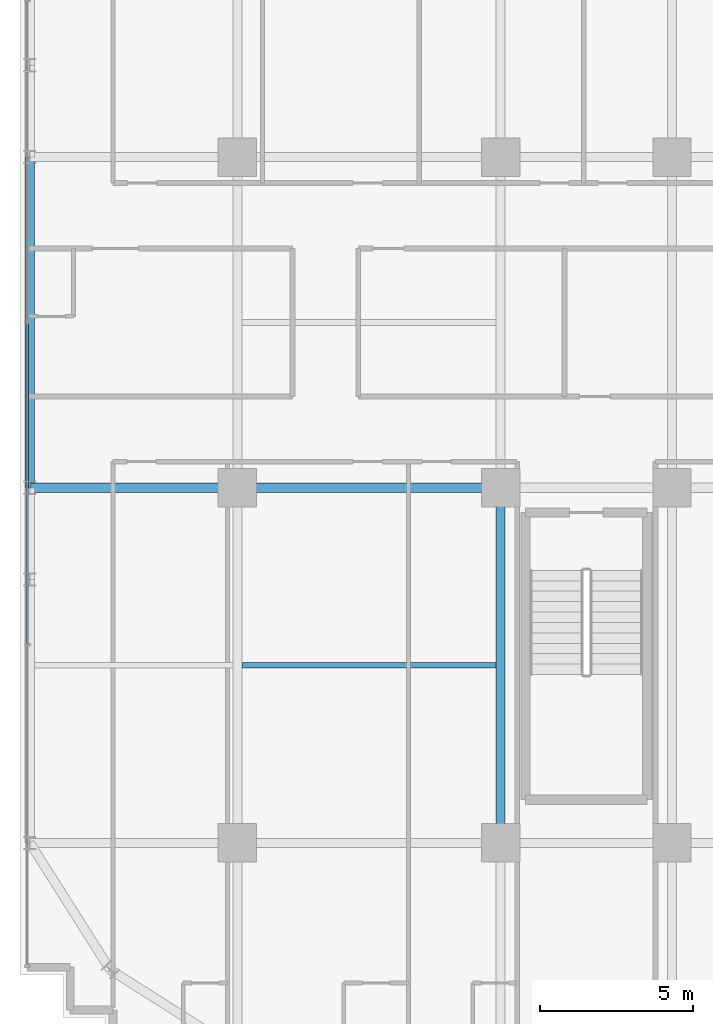
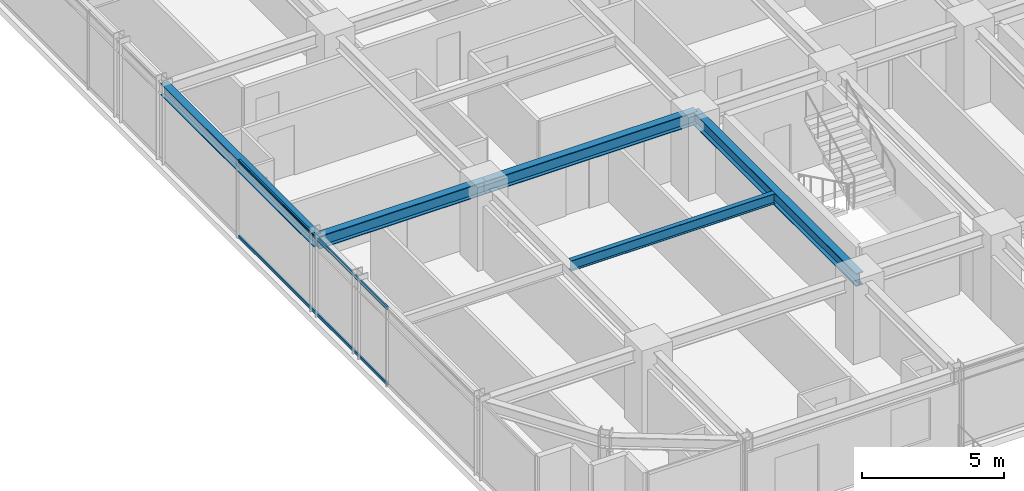
# One storey, part 8 of 32: 5 beams, 2 members, 1 element without a shape of its own.
"""IFC4 building model written with IfcOpenShell, lengths in metres."""

from ifc_helpers import new_model, si_unit, direction, frame, origin, origin_2d, place, context, subcontext, project, spatial, hollow_rectangle, i_section, extrude, source, transform, mapped, material, material_profile, profile_set, type_object, element, aggregate, save


model = new_model("IFC4")

# Units and contexts
model_context = context("Model", 3, precision=1e-05, world=origin(), true_north=direction((0.0, 1.0)))
body_context = subcontext(model_context, "Body", "Model", "MODEL_VIEW")
ifc_project = project(units=[si_unit("LENGTHUNIT", "METRE"), si_unit("AREAUNIT", "SQUARE_METRE"), si_unit("VOLUMEUNIT", "CUBIC_METRE"), si_unit("PLANEANGLEUNIT", "RADIAN"), si_unit("MASSUNIT", "GRAM", prefix="KILO")], contexts=[model_context])

# Site, building, storey
site_placement = place(None, origin())
site = spatial("IfcSite", under=ifc_project, at=site_placement, CompositionType="ELEMENT")
building_placement = place(site_placement, origin())
building = spatial("IfcBuilding", under=site, at=building_placement, Name="Nahalor Promenade Grand Hotel", CompositionType="ELEMENT")
storey_placement = place(building_placement, frame((0.0, 0.0, 102.89990234375)))
storey = spatial("IfcBuildingStorey", under=building, at=storey_placement, Name="L25", CompositionType="ELEMENT", Elevation=102.89990234375)

# Beams
ifc_material_1 = material(Name="Steel S355JR", Category="steel")
ifc_material_profile_1 = material_profile(ifc_material_1, i_section(OverallWidth=0.3, OverallDepth=0.5, WebThickness=0.0145, FlangeThickness=0.028, at=origin_2d()), Name="HEB 500")
ifc_profile_set_1 = profile_set([ifc_material_profile_1], Name="Steel S355JR")
beam_type_1 = type_object("IfcBeamType", Name="Beam-Spandrel-HEB500", PredefinedType="SPANDREL", material=ifc_profile_set_1)
shared_shape_1 = source(origin(), body_context, "Body", "SweptSolid", [
    extrude(i_section(OverallWidth=0.3, OverallDepth=0.5, WebThickness=0.0145, FlangeThickness=0.028, at=origin_2d()), origin(), (0.0, 0.0, 1.0), 10.7998046875),
])
beam_1_placement = place(storey_placement, frame((-23.780029296875, -5.39990234375, 3.130126953125), z_axis=(0.0, 1.0, 0.0), x_axis=(-1.0, 0.0, 0.0)))
element("IfcBeam", 1, at=beam_1_placement, inside=storey, type_object=beam_type_1, Name="BM-L25-SP-W-2", PredefinedType="SPANDREL", context=body_context, shape_type="MappedRepresentation", body=[
    mapped(shared_shape_1, transform((0.0, 0.0, 0.0), scale=1.0)),
])
ifc_material_profile_2 = material_profile(ifc_material_1, i_section(OverallWidth=0.3, OverallDepth=0.55, WebThickness=0.015, FlangeThickness=0.029, at=origin_2d()), Name="HEB 550")
ifc_profile_set_2 = profile_set([ifc_material_profile_2], Name="Steel S355JR")
beam_type_2 = type_object("IfcBeamType", Name="Beam-Girder-HEB550", PredefinedType="BEAM", material=ifc_profile_set_2)
shared_shape_2 = source(origin(), body_context, "Body", "SweptSolid", [
    extrude(i_section(OverallWidth=0.3, OverallDepth=0.55, WebThickness=0.015, FlangeThickness=0.029, at=origin_2d()), origin(), (0.0, 0.0, 1.0), 6.780029296875),
])
beam_2_placement = place(storey_placement, frame((-23.780029296875, -5.39990234375, 3.10498046875), z_axis=(1.0, 0.0, 0.0), x_axis=(0.0, 1.0, 0.0)))
element("IfcBeam", 2, at=beam_2_placement, inside=storey, type_object=beam_type_2, Name="BM-L25-GX-1-0", PredefinedType="BEAM", context=body_context, shape_type="MappedRepresentation", body=[
    mapped(shared_shape_2, transform((0.0, 0.0, 0.0), scale=1.0)),
])
shared_shape_3 = source(origin(), body_context, "Body", "SweptSolid", [
    extrude(i_section(OverallWidth=0.3, OverallDepth=0.55, WebThickness=0.015, FlangeThickness=0.029, at=origin_2d()), origin(), (0.0, 0.0, 1.0), 8.60009765625),
])
beam_3_placement = place(storey_placement, frame((-17.0, -5.39990234375, 3.10498046875), z_axis=(1.0, 0.0, 0.0), x_axis=(0.0, 1.0, 0.0)))
element("IfcBeam", 3, at=beam_3_placement, inside=storey, type_object=beam_type_2, Name="BM-L25-GX-1-1", PredefinedType="BEAM", context=body_context, shape_type="MappedRepresentation", body=[
    mapped(shared_shape_3, transform((0.0, 0.0, 0.0), scale=1.0)),
])
shared_shape_4 = source(origin(), body_context, "Body", "SweptSolid", [
    extrude(i_section(OverallWidth=0.3, OverallDepth=0.55, WebThickness=0.015, FlangeThickness=0.029, at=origin_2d()), origin(), (0.0, 0.0, 1.0), 11.60009765625),
])
beam_4_placement = place(storey_placement, frame((-8.39990234375, -17.0, 3.10498046875), z_axis=(0.0, 1.0, 0.0), x_axis=(-1.0, 0.0, 0.0)))
element("IfcBeam", 4, at=beam_4_placement, inside=storey, type_object=beam_type_2, Name="BM-L25-GY-1-1", PredefinedType="BEAM", context=body_context, shape_type="MappedRepresentation", body=[
    mapped(shared_shape_4, transform((0.0, 0.0, 0.0), scale=1.0)),
])
ifc_material_profile_3 = material_profile(ifc_material_1, i_section(OverallWidth=0.19, OverallDepth=0.45, WebThickness=0.0094, FlangeThickness=0.0146, at=origin_2d()), Name="IPE 450")
ifc_profile_set_3 = profile_set([ifc_material_profile_3], Name="Steel S355JR")
beam_type_3 = type_object("IfcBeamType", Name="Beam-Joist-IPE450", PredefinedType="JOIST", material=ifc_profile_set_3)
shared_shape_5 = source(origin(), body_context, "Body", "SweptSolid", [
    extrude(i_section(OverallWidth=0.19, OverallDepth=0.45, WebThickness=0.0094, FlangeThickness=0.0146, at=origin_2d()), origin(), (0.0, 0.0, 1.0), 8.300048828125),
])
beam_5_placement = place(storey_placement, frame((-16.85009765625, -11.199951171875, 3.155029296875), z_axis=(1.0, 0.0, 0.0), x_axis=(0.0, 1.0, 0.0)))
element("IfcBeam", 5, at=beam_5_placement, inside=storey, type_object=beam_type_3, Name="BM-L25-JSW-0-1", PredefinedType="JOIST", context=body_context, shape_type="MappedRepresentation", body=[
    mapped(shared_shape_5, transform((0.0, 0.0, 0.0), scale=1.0)),
])

# Curtain wall, members
ifc_material_2 = material(Name="Anodised Bronze Aluminium EN AW-6063 T6", Category="aluminium")
curtain_wall_type = type_object("IfcCurtainWallType", Name="CW2 Typical Hotel Flush Bronze Unitised Curtain Wall", PredefinedType="USERDEFINED", material=ifc_material_2)
curtain_wall_placement = place(storey_placement, origin())
curtain_wall = element("IfcCurtainWall", 6, at=curtain_wall_placement, inside=storey, type_object=curtain_wall_type, Name="L25 Curtain Wall CW-L25-W-1", ObjectType="UNITISED_CURTAIN_WALL", PredefinedType="USERDEFINED")
ifc_material_profile_4 = material_profile(ifc_material_2, hollow_rectangle(XDim=0.065, YDim=0.13, WallThickness=0.004, at=origin_2d()), Name="CWT 65x130x4")
ifc_profile_set_4 = profile_set([ifc_material_profile_4], Name="Anodised Bronze Aluminium EN AW-6063 T6")
member_type = type_object("IfcMemberType", Name="CWT2 Typical Bronze Transom 65x130", PredefinedType="USERDEFINED", material=ifc_profile_set_4)
shared_shape_6 = source(origin(), body_context, "Body", "SweptSolid", [
    extrude(hollow_rectangle(XDim=0.065, YDim=0.13, WallThickness=0.004, at=origin_2d()), origin(), (0.0, 0.0, 1.0), 10.465087890625),
])
member_1_placement = place(storey_placement, frame((-23.860107421875, -10.49755859375, 0.065185546875), z_axis=(0.0, 1.0, 0.0), x_axis=(-1.0, 0.0, 0.0)))
member_1 = element("IfcMember", 7, at=member_1_placement, type_object=member_type, Name="CW-L25-W-1 Transom 1-0", ObjectType="TRANSOM", PredefinedType="USERDEFINED", context=body_context, shape_type="MappedRepresentation", body=[
    mapped(shared_shape_6, transform((0.0, 0.0, 0.0), scale=1.0)),
])
member_2_placement = place(storey_placement, frame((-23.860107421875, -10.49755859375, 3.315185546875), z_axis=(0.0, 1.0, 0.0), x_axis=(-1.0, 0.0, 0.0)))
member_2 = element("IfcMember", 8, at=member_2_placement, type_object=member_type, Name="CW-L25-W-1 Transom 1-1", ObjectType="TRANSOM", PredefinedType="USERDEFINED", context=body_context, shape_type="MappedRepresentation", body=[
    mapped(shared_shape_6, transform((0.0, 0.0, 0.0), scale=1.0)),
])
aggregate(curtain_wall, [member_1, member_2])

save(model, "model.ifc")
